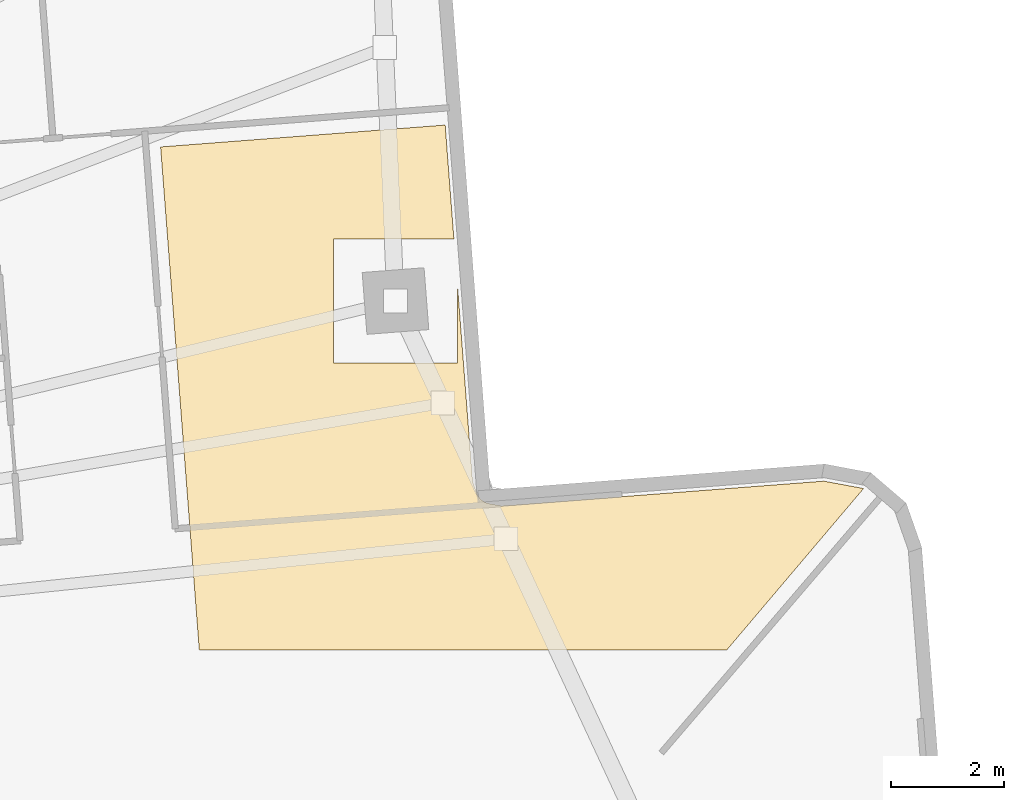
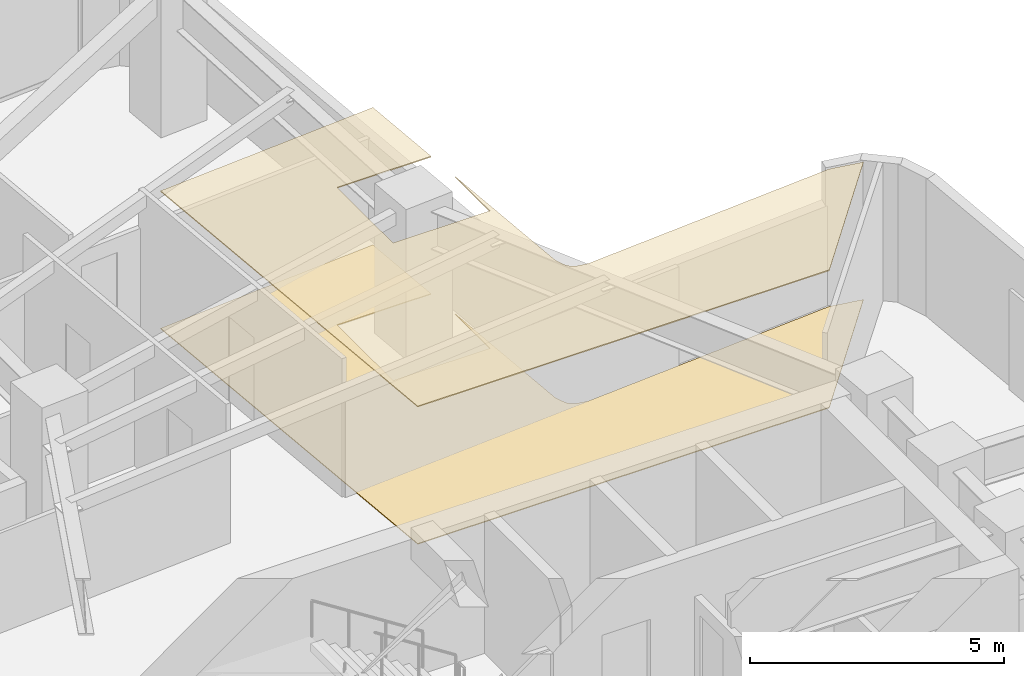
# One storey, part 15 of 15: 2 coverings.
"""IFC4 building model written with IfcOpenShell, lengths in metres."""

from ifc_helpers import new_model, si_unit, direction, frame, origin, place, context, subcontext, project, spatial, polyline, outline, extrude, material, layer, layer_set, type_object, element, save


model = new_model("IFC4")

# Units and contexts
model_context = context("Model", 3, precision=1e-05, world=origin(), true_north=direction((0.0, 1.0)))
body_context = subcontext(model_context, "Body", "Model", "MODEL_VIEW")
ifc_project = project(units=[si_unit("LENGTHUNIT", "METRE"), si_unit("AREAUNIT", "SQUARE_METRE"), si_unit("VOLUMEUNIT", "CUBIC_METRE"), si_unit("PLANEANGLEUNIT", "RADIAN"), si_unit("MASSUNIT", "GRAM", prefix="KILO")], contexts=[model_context])

# Site, building, storey
site_placement = place(None, origin())
site = spatial("IfcSite", under=ifc_project, at=site_placement, CompositionType="ELEMENT")
building_placement = place(site_placement, origin())
building = spatial("IfcBuilding", under=site, at=building_placement, Name="Solmarez Civic Tower", CompositionType="ELEMENT")
storey_placement = place(building_placement, frame((0.0, 0.0, 60.47998046875)))
storey = spatial("IfcBuildingStorey", under=building, at=storey_placement, Name="L15", CompositionType="ELEMENT", Elevation=60.47998046875)

# Coverings
ifc_material_1 = material(Name="Perforated Mineral-Fibre Acoustic Ceiling")
ifc_layer_1 = layer(ifc_material_1, 0.02490234375)
ifc_layer_set_1 = layer_set([ifc_layer_1], Name="Perforated Mineral-Fibre Acoustic Ceiling")
covering_type_1 = type_object("IfcCoveringType", Name="COV-CEIL-ACOUSTIC", PredefinedType="CEILING", material=ifc_layer_set_1)
covering_1_placement = place(storey_placement, frame((0.0, 0.0, 3.294921875)))
element("IfcCovering", 1, at=covering_1_placement, inside=storey, type_object=covering_type_1, Name="L15 Suspended Acoustic Ceiling 1", PredefinedType="CEILING", context=body_context, shape_type="SweptSolid", body=[
    extrude(outline(polyline([(0.7060546875, 12.199951171875), (10.053955078125, 12.199951171875), (12.48095703125, 15.06396484375), (12.47509765625, 15.069091796875), (11.779052734375, 15.197998046875), (6.10302734375, 14.761962890625), (6.08203125, 14.760009765625), (6.06201171875, 14.760009765625), (6.041015625, 14.761962890625), (6.033935546875, 14.762939453125), (6.027099609375, 14.763916015625), (6.01806640625, 14.76611328125), (5.84912109375, 14.797119140625), (5.8291015625, 14.801025390625), (5.822021484375, 14.802978515625), (5.794921875, 14.81298828125), (5.781005859375, 14.819091796875), (5.77392578125, 14.822021484375), (5.7548828125, 14.8310546875), (5.737060546875, 14.842041015625), (5.719970703125, 14.85498046875), (5.714111328125, 14.860107421875), (5.7080078125, 14.864990234375), (5.693115234375, 14.8779296875), (5.68798828125, 14.883056640625), (5.675048828125, 14.89794921875), (5.669921875, 14.904052734375), (5.657958984375, 14.919921875), (5.64697265625, 14.93701171875), (5.635986328125, 14.955078125), (5.626953125, 14.97607421875), (5.618896484375, 14.998046875), (5.56201171875, 15.157958984375), (5.56005859375, 15.1640625), (5.554931640625, 15.18310546875), (5.551025390625, 15.202880859375), (5.550048828125, 15.2099609375), (5.549072265625, 15.217041015625), (5.548095703125, 15.23095703125), (5.283935546875, 18.658935546875), (5.283935546875, 17.291015625), (3.083984375, 17.291015625), (3.083984375, 19.490966796875), (5.219970703125, 19.490966796875), (5.06494140625, 21.511962890625), (0.01904296875, 21.1240234375), (0.7060546875, 12.199951171875)])), origin(), (0.0, 0.0, 1.0), 0.025146484375),
])
ifc_material_2 = material(Name="Polished Tropical Stone Terrazzo Flooring", Category="masonry")
ifc_layer_2 = layer(ifc_material_2, 0.02001953125)
ifc_layer_set_2 = layer_set([ifc_layer_2], Name="Polished Tropical Stone Terrazzo Flooring")
covering_type_2 = type_object("IfcCoveringType", Name="COV-FLOOR-TERRAZZO", PredefinedType="FLOORING", material=ifc_layer_set_2)
covering_2_placement = place(storey_placement, origin())
element("IfcCovering", 2, at=covering_2_placement, inside=storey, type_object=covering_type_2, Name="L15 Terrazzo Floor Finish 1", PredefinedType="FLOORING", context=body_context, shape_type="SweptSolid", body=[
    extrude(outline(polyline([(0.7060546875, 12.199951171875), (10.053955078125, 12.199951171875), (12.48095703125, 15.06396484375), (12.47509765625, 15.069091796875), (11.779052734375, 15.197998046875), (6.10302734375, 14.761962890625), (6.08203125, 14.760009765625), (6.06201171875, 14.760009765625), (6.041015625, 14.761962890625), (6.033935546875, 14.762939453125), (6.027099609375, 14.763916015625), (6.01806640625, 14.76611328125), (5.84912109375, 14.797119140625), (5.8291015625, 14.801025390625), (5.822021484375, 14.802978515625), (5.794921875, 14.81298828125), (5.781005859375, 14.819091796875), (5.77392578125, 14.822021484375), (5.7548828125, 14.8310546875), (5.737060546875, 14.842041015625), (5.719970703125, 14.85498046875), (5.714111328125, 14.860107421875), (5.7080078125, 14.864990234375), (5.693115234375, 14.8779296875), (5.68798828125, 14.883056640625), (5.675048828125, 14.89794921875), (5.669921875, 14.904052734375), (5.657958984375, 14.919921875), (5.64697265625, 14.93701171875), (5.635986328125, 14.955078125), (5.626953125, 14.97607421875), (5.618896484375, 14.998046875), (5.56201171875, 15.157958984375), (5.56005859375, 15.1640625), (5.554931640625, 15.18310546875), (5.551025390625, 15.202880859375), (5.550048828125, 15.2099609375), (5.549072265625, 15.217041015625), (5.548095703125, 15.23095703125), (5.283935546875, 18.658935546875), (5.283935546875, 17.291015625), (3.083984375, 17.291015625), (3.083984375, 19.490966796875), (5.219970703125, 19.490966796875), (5.06494140625, 21.511962890625), (0.01904296875, 21.1240234375), (0.7060546875, 12.199951171875)])), origin(), (0.0, 0.0, 1.0), 0.02001953125),
])

save(model, "model.ifc")
